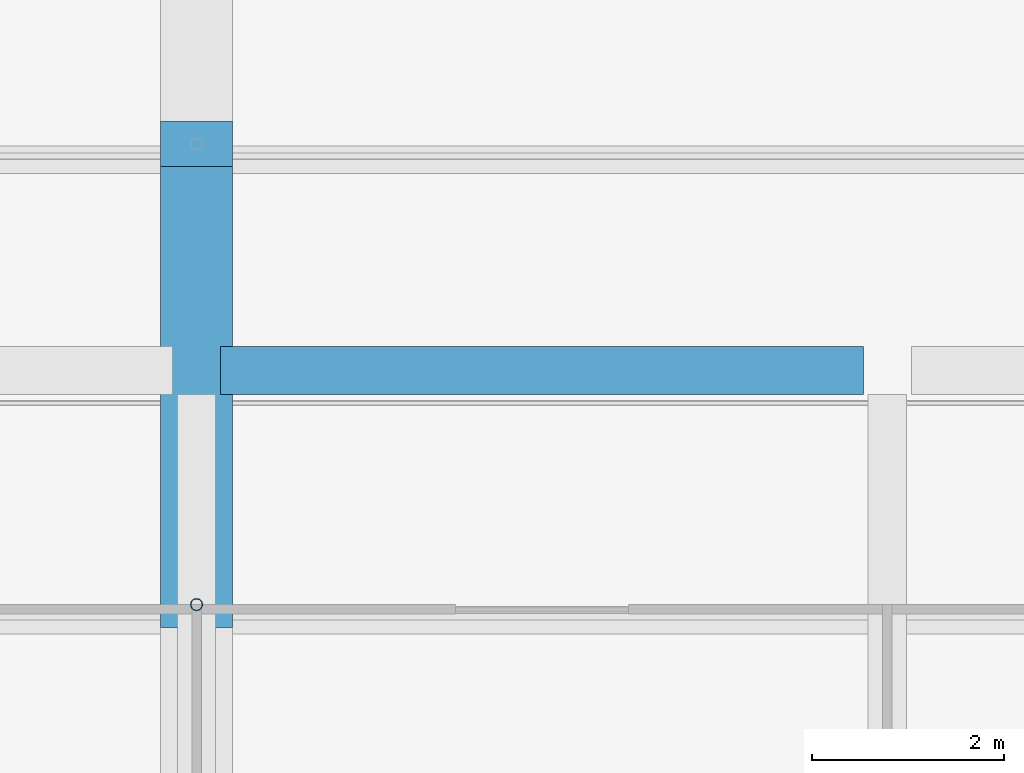
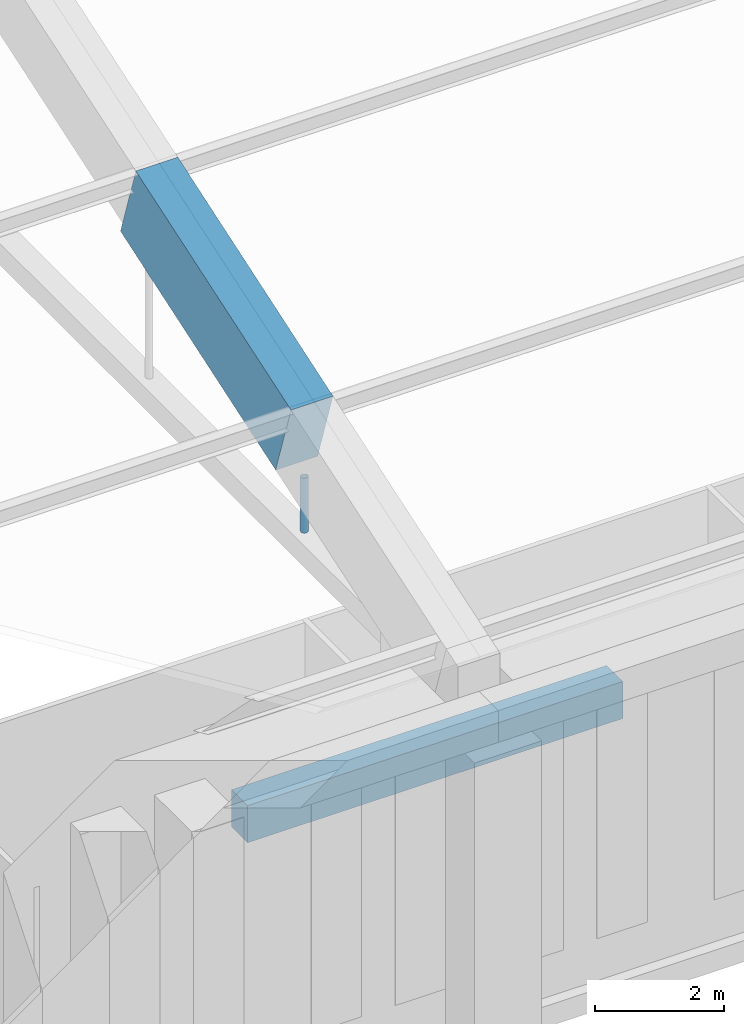
# One storey, part 14 of 149: 2 beams, 1 member.
"""IFC4 building model written with IfcOpenShell, lengths in metres."""

from ifc_helpers import new_model, si_unit, direction, frame, origin, origin_2d, place, context, subcontext, project, spatial, rectangle, hollow_circle, extrude, material, material_profile, profile_set, type_object, element, save


model = new_model("IFC4")

# Units and contexts
model_context = context("Model", 3, precision=1e-05, world=origin(), true_north=direction((0.0, 1.0)))
body_context = subcontext(model_context, "Body", "Model", "MODEL_VIEW")
ifc_project = project(units=[si_unit("LENGTHUNIT", "METRE"), si_unit("AREAUNIT", "SQUARE_METRE"), si_unit("VOLUMEUNIT", "CUBIC_METRE"), si_unit("PLANEANGLEUNIT", "RADIAN"), si_unit("MASSUNIT", "GRAM", prefix="KILO")], contexts=[model_context])

# Site, building, storey
site_placement = place(None, origin())
site = spatial("IfcSite", under=ifc_project, at=site_placement, CompositionType="ELEMENT")
building_placement = place(site_placement, origin())
building = spatial("IfcBuilding", under=site, at=building_placement, Name="Alderwick Market Hall", CompositionType="ELEMENT")
storey_placement = place(building_placement, frame((0.0, 0.0, 9.60009765625)))
storey = spatial("IfcBuildingStorey", under=building, at=storey_placement, Name="L01", CompositionType="ELEMENT", Elevation=9.60009765625)

# Beams
ifc_material_1 = material(Name="Concrete 5000 psi (f'c 35 MPa)", Category="concrete")
ifc_material_profile_1 = material_profile(ifc_material_1, rectangle(XDim=0.5, YDim=0.699951171875, at=origin_2d()), Name="RC 500x700")
ifc_profile_set_1 = profile_set([ifc_material_profile_1], Name="Concrete 5000 psi (f'c 35 MPa)")
beam_type_1 = type_object("IfcBeamType", Name="H Edge beam 500x700", PredefinedType="BEAM", material=ifc_profile_set_1)
beam_1_placement = place(storey_placement, frame((93.85009765625, 57.639892578125, -0.60009765625), z_axis=(1.0, 0.0, 0.0), x_axis=(0.0, 1.0, 0.0)))
element("IfcBeam", 1, at=beam_1_placement, inside=storey, type_object=beam_type_1, Name="Gallery edge beam S", PredefinedType="BEAM", context=body_context, shape_type="SweptSolid", body=[
    extrude(rectangle(XDim=0.5, YDim=0.699951171875, at=origin_2d()), origin(), (0.0, 0.0, 1.0), 6.699951171875),
])
ifc_material_profile_2 = material_profile(ifc_material_1, rectangle(XDim=0.75, YDim=1.5, at=origin_2d()), Name="RC 750x1500")
ifc_profile_set_2 = profile_set([ifc_material_profile_2], Name="Concrete 5000 psi (f'c 35 MPa)")
beam_type_2 = type_object("IfcBeamType", Name="R Arch Rib Springing 750x1500", PredefinedType="BEAM", material=ifc_profile_set_2)
beam_2_placement = place(storey_placement, frame((93.60009765625, 55.199951171875, 8.199951171875), z_axis=(0.0, 0.948692948114, 0.316198814353), x_axis=(-1.0, 0.0, 0.0)))
element("IfcBeam", 2, at=beam_2_placement, inside=storey, type_object=beam_type_2, Name="Arch rib 4 chord 2", PredefinedType="BEAM", context=body_context, shape_type="SweptSolid", body=[
    extrude(rectangle(XDim=0.75, YDim=1.5, at=origin_2d()), origin(), (0.0, 0.0, 1.0), 5.0595703125),
])

# Member
ifc_material_2 = material(Name="Steel ASTM A500 Grade C", Category="steel")
ifc_material_profile_3 = material_profile(ifc_material_2, hollow_circle(Radius=0.0634765625, WallThickness=0.005859375, at=origin_2d()), Name="HSS5.000x0.250")
ifc_profile_set_3 = profile_set([ifc_material_profile_3], Name="Steel ASTM A500 Grade C")
member_type = type_object("IfcMemberType", Name="R Hanger HSS5.000x0.250", PredefinedType="POST", material=ifc_profile_set_3)
member_placement = place(storey_placement, frame((93.60009765625, 55.199951171875, 6.35302734375), z_axis=(0.0, 0.0, 1.0), x_axis=(1.0, 0.0, 0.0)))
element("IfcMember", 3, at=member_placement, inside=storey, type_object=member_type, Name="Arch hanger 4.1", PredefinedType="POST", context=body_context, shape_type="SweptSolid", body=[
    extrude(hollow_circle(Radius=0.0634765625, WallThickness=0.005859375, at=origin_2d()), origin(), (0.0, 0.0, 1.0), 1.03515625),
])

save(model, "model.ifc")
